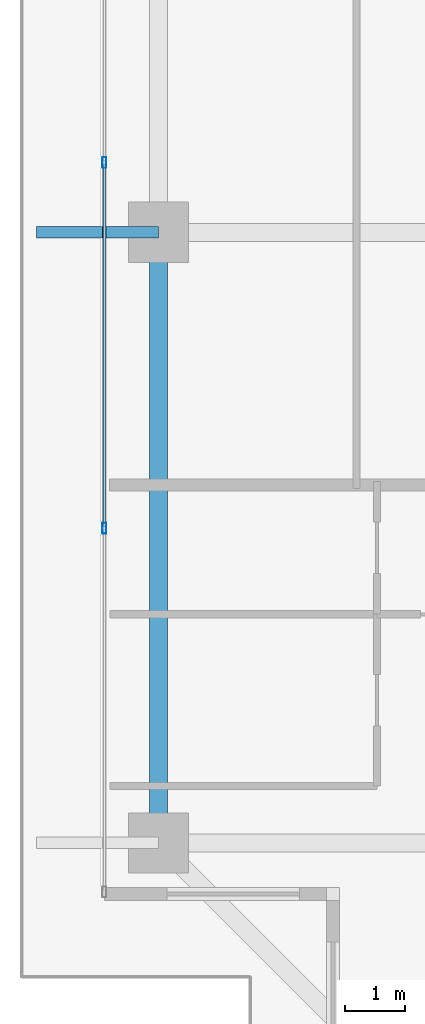
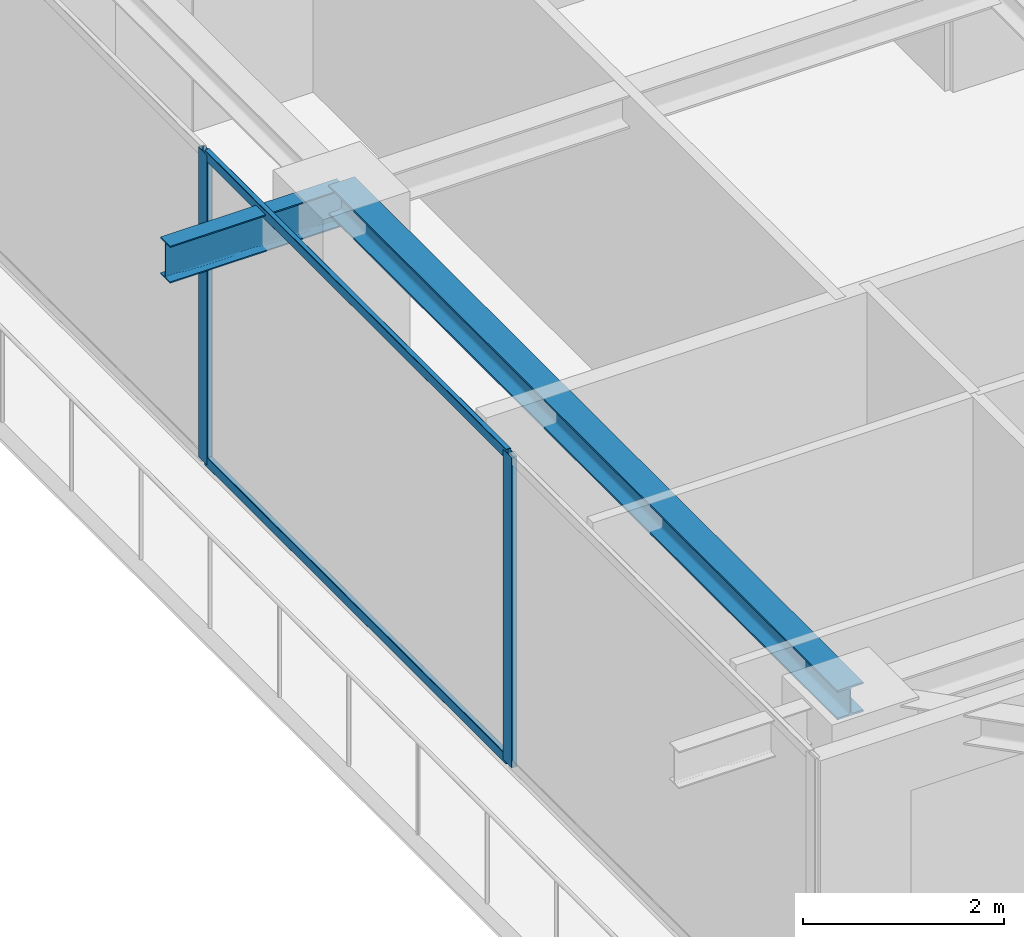
# One storey, part 8 of 42: 4 members, 2 beams, 1 element without a shape of its own.
"""IFC4 building model written with IfcOpenShell, lengths in metres."""

from ifc_helpers import new_model, si_unit, direction, frame, origin, origin_2d, place, context, subcontext, project, spatial, hollow_rectangle, i_section, extrude, source, transform, mapped, material, layer, layer_set, material_profile, profile_set, type_object, element, aggregate, save


model = new_model("IFC4")

# Units and contexts
model_context = context("Model", 3, precision=1e-05, world=origin(), true_north=direction((0.0, 1.0)))
body_context = subcontext(model_context, "Body", "Model", "MODEL_VIEW")
ifc_project = project(units=[si_unit("LENGTHUNIT", "METRE"), si_unit("AREAUNIT", "SQUARE_METRE"), si_unit("VOLUMEUNIT", "CUBIC_METRE"), si_unit("PLANEANGLEUNIT", "RADIAN"), si_unit("MASSUNIT", "GRAM", prefix="KILO")], contexts=[model_context])

# Site, building, storey
site_placement = place(None, origin())
site = spatial("IfcSite", under=ifc_project, at=site_placement, CompositionType="ELEMENT")
building_placement = place(site_placement, origin())
building = spatial("IfcBuilding", under=site, at=building_placement, Name="Serunith Strait Residences", CompositionType="ELEMENT")
storey_placement = place(building_placement, frame((0.0, 0.0, 293.449951171875)))
storey = spatial("IfcBuildingStorey", under=building, at=storey_placement, Name="L73", CompositionType="ELEMENT", Elevation=293.449951171875)

# Beams
ifc_material_1 = material(Name="Steel S355J2", Category="steel")
ifc_material_profile_1 = material_profile(ifc_material_1, i_section(OverallWidth=0.300048828125, OverallDepth=0.360107421875, WebThickness=0.012451171875, FlangeThickness=0.0224609375, FilletRadius=0.027099609375, at=origin_2d()), Name="HEB 360")
ifc_profile_set_1 = profile_set([ifc_material_profile_1], Name="Steel S355J2")
beam_type_1 = type_object("IfcBeamType", Name="BM-HEB360", PredefinedType="BEAM", material=ifc_profile_set_1)
shared_shape_1 = source(origin(), body_context, "Body", "SweptSolid", [
    extrude(i_section(OverallWidth=0.300048828125, OverallDepth=0.360107421875, WebThickness=0.012451171875, FlangeThickness=0.0224609375, FilletRadius=0.027099609375, at=origin_2d()), origin(), (0.0, 0.0, 1.0), 10.14990234375),
])
beam_1_placement = place(storey_placement, frame((10.10009765625, 21.0, 3.60693359375), z_axis=(0.0, -1.0, 0.0), x_axis=(1.0, 0.0, 0.0)))
element("IfcBeam", 1, at=beam_1_placement, inside=storey, type_object=beam_type_1, Name="L73 Perimeter Ring Beam 15", PredefinedType="BEAM", context=body_context, shape_type="MappedRepresentation", body=[
    mapped(shared_shape_1, transform((0.0, 0.0, 0.0), scale=1.0)),
])
ifc_material_profile_2 = material_profile(ifc_material_1, i_section(OverallWidth=0.18994140625, OverallDepth=0.449951171875, WebThickness=0.009521484375, FlangeThickness=0.0146484375, FilletRadius=0.02099609375, at=origin_2d()), Name="IPE 450")
ifc_profile_set_2 = profile_set([ifc_material_profile_2], Name="Steel S355J2")
beam_type_2 = type_object("IfcBeamType", Name="BM-IPE450", PredefinedType="JOIST", material=ifc_profile_set_2)
shared_shape_2 = source(origin(), body_context, "Body", "SweptSolid", [
    extrude(i_section(OverallWidth=0.18994140625, OverallDepth=0.449951171875, WebThickness=0.009521484375, FlangeThickness=0.0146484375, FilletRadius=0.02099609375, at=origin_2d()), origin(), (0.0, 0.0, 1.0), 2.030029296875),
])
beam_2_placement = place(storey_placement, frame((10.10009765625, 21.0, 3.531982421875), z_axis=(-1.0, 0.0, 0.0), x_axis=(0.0, -1.0, 0.0)))
element("IfcBeam", 2, at=beam_2_placement, inside=storey, type_object=beam_type_2, Name="L74 Cantilevered Balcony Rib TC-W2", PredefinedType="JOIST", context=body_context, shape_type="MappedRepresentation", body=[
    mapped(shared_shape_2, transform((0.0, 0.0, 0.0), scale=1.0)),
])

# Curtain wall, members
ifc_material_2 = material(Name="Brushed Stainless-Silver Aluminium", Category="aluminium")
ifc_layer = layer(ifc_material_2, 0.199951171875, Name="Brushed Stainless-Silver Aluminium")
ifc_layer_set = layer_set([ifc_layer], Name="Brushed Stainless-Silver Aluminium")
curtain_wall_type = type_object("IfcCurtainWallType", Name="CW-SYS5", PredefinedType="NOTDEFINED", material=ifc_layer_set)
curtain_wall_placement = place(storey_placement, origin())
curtain_wall = element("IfcCurtainWall", 3, at=curtain_wall_placement, inside=storey, type_object=curtain_wall_type, Name="L73 W Unitised Fritted Curtain Wall", PredefinedType="NOTDEFINED")
ifc_material_profile_3 = material_profile(ifc_material_2, hollow_rectangle(XDim=0.06494140625, YDim=0.179931640625, WallThickness=0.00341796875, InnerFilletRadius=0.00537109375, OuterFilletRadius=0.0087890625, at=origin_2d()), Name="ALU 180x65x3.5")
ifc_profile_set_3 = profile_set([ifc_material_profile_3], Name="Brushed Stainless-Silver Aluminium")
member_type_1 = type_object("IfcMemberType", Name="CW-SYS5-MULL", PredefinedType="MULLION", material=ifc_profile_set_3)
shared_shape_3 = source(origin(), body_context, "Body", "SweptSolid", [
    extrude(hollow_rectangle(XDim=0.06494140625, YDim=0.179931640625, WallThickness=0.00341796875, InnerFilletRadius=0.00537109375, OuterFilletRadius=0.0087890625, at=origin_2d()), origin(), (0.0, 0.0, 1.0), 3.775146484375),
])
member_1_placement = place(storey_placement, frame((9.199951171875, 22.159912109375, 0.0), z_axis=(0.0, 0.0, 1.0), x_axis=(1.0, 0.0, 0.0)))
member_1 = element("IfcMember", 4, at=member_1_placement, type_object=member_type_1, Name="CW-5 mullion 4", PredefinedType="MULLION", context=body_context, shape_type="MappedRepresentation", body=[
    mapped(shared_shape_3, transform((0.0, 0.0, 0.0), scale=1.0)),
])
member_2_placement = place(storey_placement, frame((9.199951171875, 16.080078125, 0.0), z_axis=(0.0, 0.0, 1.0), x_axis=(1.0, 0.0, 0.0)))
member_2 = element("IfcMember", 5, at=member_2_placement, type_object=member_type_1, Name="CW-5 mullion 5", PredefinedType="MULLION", context=body_context, shape_type="MappedRepresentation", body=[
    mapped(shared_shape_3, transform((0.0, 0.0, 0.0), scale=1.0)),
])
ifc_material_profile_4 = material_profile(ifc_material_2, hollow_rectangle(XDim=0.06005859375, YDim=0.1201171875, WallThickness=0.00341796875, InnerFilletRadius=0.00537109375, OuterFilletRadius=0.0087890625, at=origin_2d()), Name="ALU 120x60x3.5")
ifc_profile_set_4 = profile_set([ifc_material_profile_4], Name="Brushed Stainless-Silver Aluminium")
member_type_2 = type_object("IfcMemberType", Name="CW-SYS5-TRAN", PredefinedType="USERDEFINED", material=ifc_profile_set_4)
shared_shape_4 = source(origin(), body_context, "Body", "SweptSolid", [
    extrude(hollow_rectangle(XDim=0.06005859375, YDim=0.1201171875, WallThickness=0.00341796875, InnerFilletRadius=0.00537109375, OuterFilletRadius=0.0087890625, at=origin_2d()), origin(), (0.0, 0.0, 1.0), 6.014892578125),
])
member_3_placement = place(storey_placement, frame((9.199951171875, 22.12744140625, 0.030029296875), z_axis=(0.0, -1.0, 0.0), x_axis=(1.0, 0.0, 0.0)))
member_3 = element("IfcMember", 6, at=member_3_placement, type_object=member_type_2, Name="CW-5 transom 4.1", ObjectType="TRANSOM", PredefinedType="USERDEFINED", context=body_context, shape_type="MappedRepresentation", body=[
    mapped(shared_shape_4, transform((0.0, 0.0, 0.0), scale=1.0)),
])
member_4_placement = place(storey_placement, frame((9.199951171875, 22.12744140625, 3.7451171875), z_axis=(0.0, -1.0, 0.0), x_axis=(1.0, 0.0, 0.0)))
member_4 = element("IfcMember", 7, at=member_4_placement, type_object=member_type_2, Name="CW-5 transom 4.2", ObjectType="TRANSOM", PredefinedType="USERDEFINED", context=body_context, shape_type="MappedRepresentation", body=[
    mapped(shared_shape_4, transform((0.0, 0.0, 0.0), scale=1.0)),
])
aggregate(curtain_wall, [member_1, member_2, member_3, member_4])

save(model, "model.ifc")
